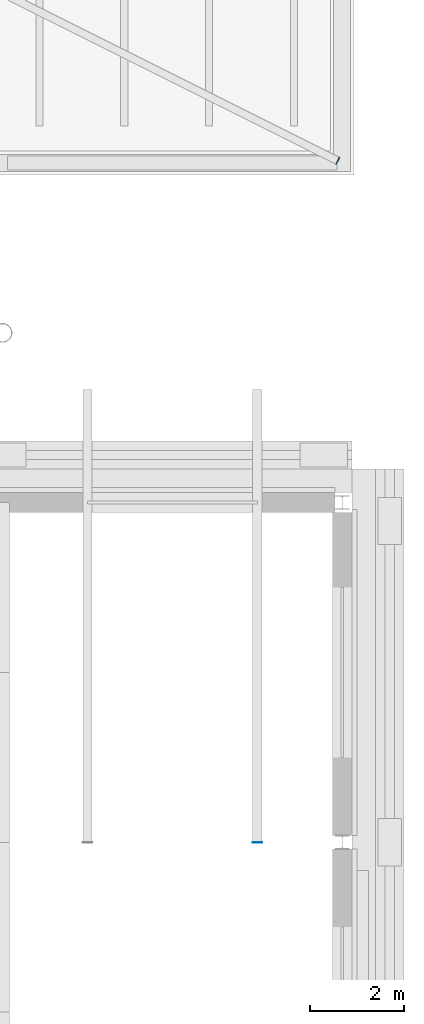
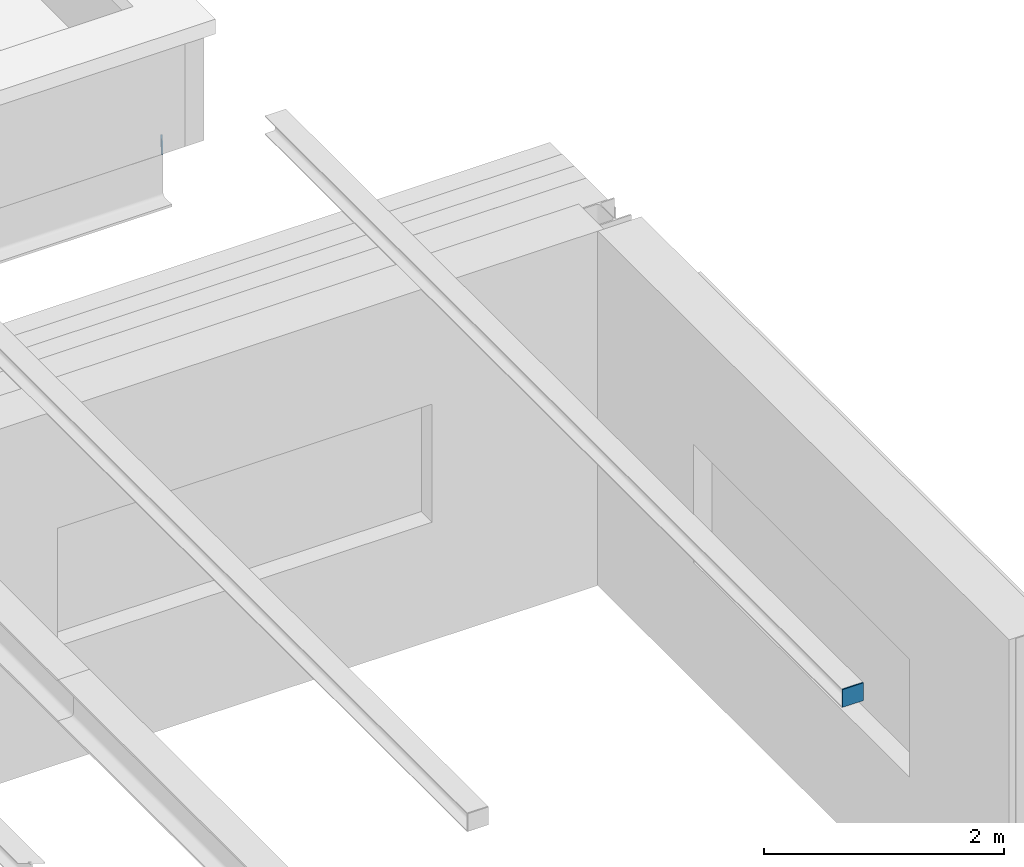
# One storey, part 78 of 110: 2 discrete accessories.
"""IFC4 building model written with IfcOpenShell, lengths in metres."""

from ifc_helpers import new_model, si_unit, direction, frame, origin, origin_2d, place, context, subcontext, project, spatial, rectangle, circle, extrude, material, layer, layer_set, type_object, element, save


model = new_model("IFC4")

# Units and contexts
model_context = context("Model", 3, precision=1e-05, world=origin(), true_north=direction((0.0, 1.0)))
body_context = subcontext(model_context, "Body", "Model", "MODEL_VIEW")
ifc_project = project(units=[si_unit("LENGTHUNIT", "METRE"), si_unit("AREAUNIT", "SQUARE_METRE"), si_unit("VOLUMEUNIT", "CUBIC_METRE"), si_unit("PLANEANGLEUNIT", "RADIAN"), si_unit("MASSUNIT", "GRAM", prefix="KILO")], contexts=[model_context])

# Site, building, storey
site_placement = place(None, origin())
site = spatial("IfcSite", under=ifc_project, at=site_placement, CompositionType="ELEMENT")
building_placement = place(site_placement, origin())
building = spatial("IfcBuilding", under=site, at=building_placement, Name="Kupolbacken Congress Centre", CompositionType="ELEMENT")
storey_placement = place(building_placement, frame((0.0, 0.0, 18.0)))
storey = spatial("IfcBuildingStorey", under=building, at=storey_placement, Name="L05", CompositionType="ELEMENT", Elevation=18.0)

# Discrete accessories
ifc_material_1 = material(Name="Steel S355", Category="steel")
ifc_layer_1 = layer(ifc_material_1, 0.011962890625)
ifc_layer_set_1 = layer_set([ifc_layer_1], Name="Steel S355")
discrete_accessory_type_1 = type_object("IfcDiscreteAccessoryType", Name="BK3 bracket end plate 200 x 180 x 12", PredefinedType="BRACKET", material=ifc_layer_set_1)
discrete_accessory_1_placement = place(storey_placement, frame((199.800048828125, 107.993896484375, 3.60009765625), z_axis=(0.0, 0.0, 1.0), x_axis=(1.0, 0.0, 0.0)))
element("IfcDiscreteAccessory", 1, at=discrete_accessory_1_placement, inside=storey, type_object=discrete_accessory_type_1, Name="Eave bracket end plate N32", PredefinedType="BRACKET", context=body_context, shape_type="SweptSolid", body=[
    extrude(rectangle(XDim=0.199951171875, YDim=0.011962890625, at=origin_2d()), origin(), (0.0, 0.0, 1.0), 0.179931640625),
])
ifc_material_2 = material(Name="Steel S355", Category="steel")
ifc_layer_2 = layer(ifc_material_2, 0.011962890625)
ifc_layer_set_2 = layer_set([ifc_layer_2], Name="Steel S355")
discrete_accessory_type_2 = type_object("IfcDiscreteAccessoryType", Name="EC2 tube end cap plate 168 dia x 12", PredefinedType="BRACKET", material=ifc_layer_set_2)
discrete_accessory_2_placement = place(storey_placement, frame((201.501708984375, 122.44921875, -0.084228515625), z_axis=(0.890248162977, -0.455475804314, 0.0), x_axis=(0.455475804314, 0.890248162977, 0.0)))
element("IfcDiscreteAccessory", 2, at=discrete_accessory_2_placement, inside=storey, type_object=discrete_accessory_type_2, Name="End cap plate BR/RB/07-00 A", PredefinedType="BRACKET", context=body_context, shape_type="SweptSolid", body=[
    extrude(circle(Radius=0.084228515625, at=origin_2d()), origin(), (0.0, 0.0, 1.0), 0.01171875),
])

save(model, "model.ifc")
